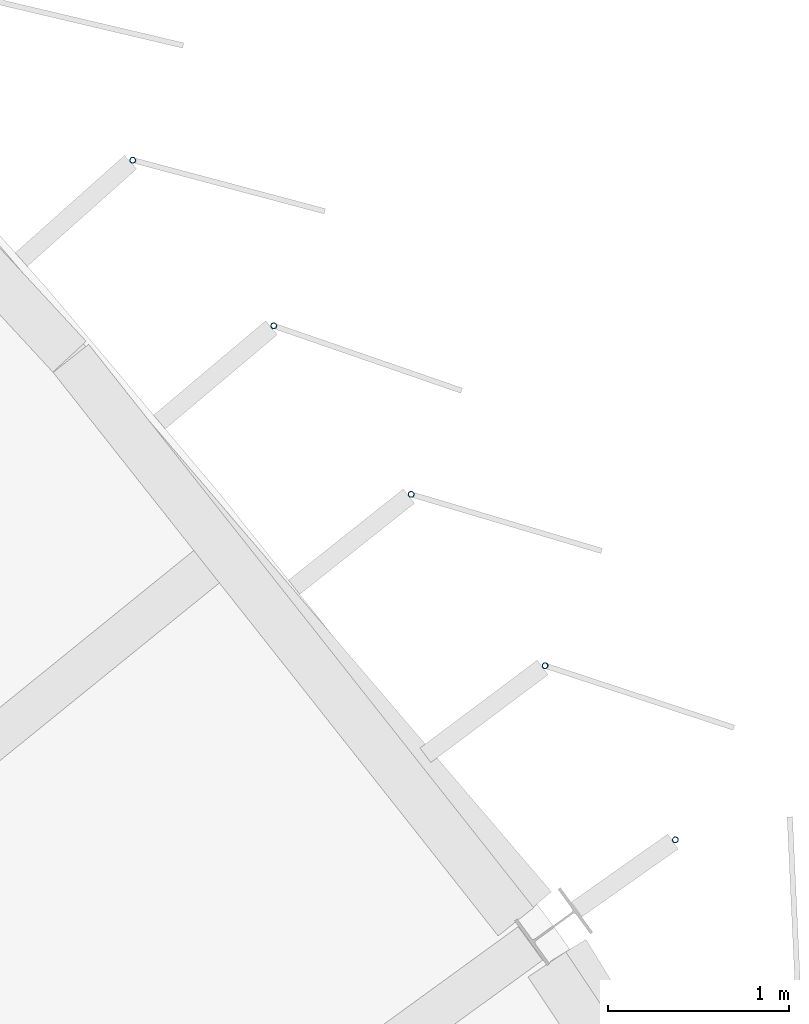
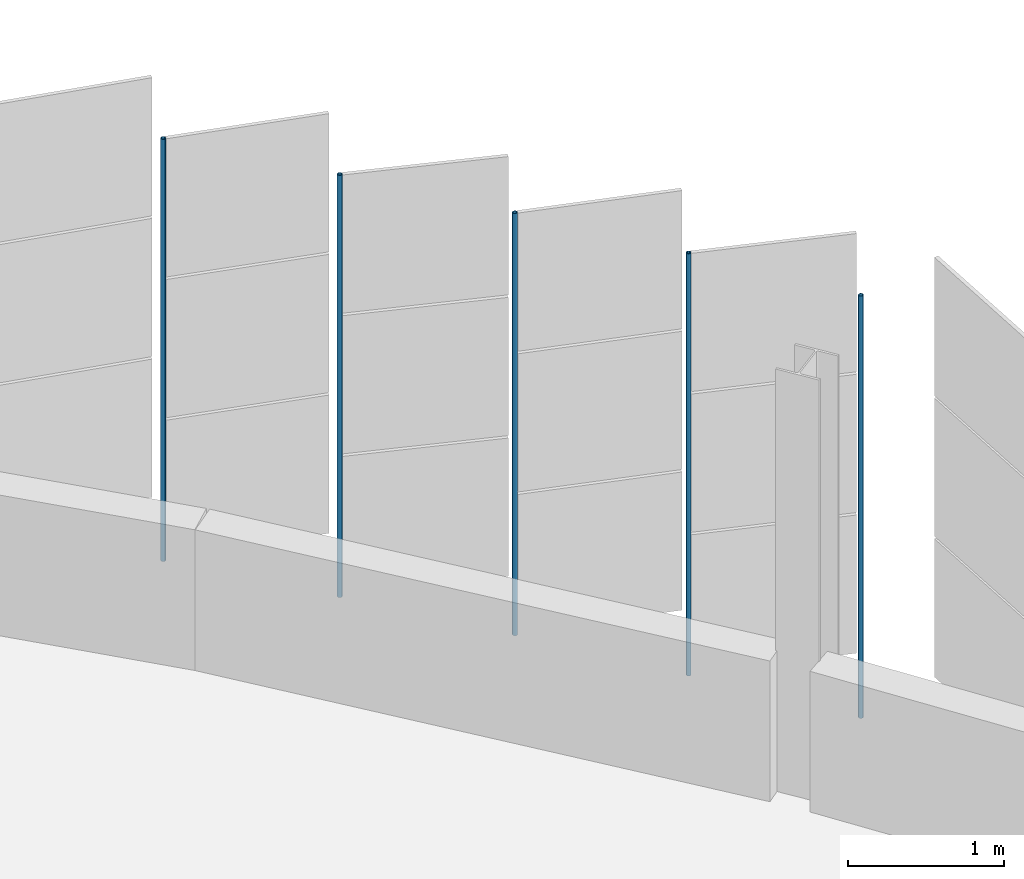
# One storey, part 141 of 214: 5 discrete accessories.
"""IFC4 building model written with IfcOpenShell, lengths in metres."""

from ifc_helpers import new_model, si_unit, direction, frame, origin, origin_2d, place, context, subcontext, project, spatial, hollow_circle, extrude, material, material_profile, profile_set, type_object, element, save


model = new_model("IFC4")

# Units and contexts
model_context = context("Model", 3, precision=1e-05, world=origin(), true_north=direction((0.0, 1.0)))
body_context = subcontext(model_context, "Body", "Model", "MODEL_VIEW")
ifc_project = project(units=[si_unit("LENGTHUNIT", "METRE"), si_unit("AREAUNIT", "SQUARE_METRE"), si_unit("VOLUMEUNIT", "CUBIC_METRE"), si_unit("PLANEANGLEUNIT", "RADIAN"), si_unit("MASSUNIT", "GRAM", prefix="KILO")], contexts=[model_context])

# Site, building, storey
site_placement = place(None, origin())
site = spatial("IfcSite", under=ifc_project, at=site_placement, CompositionType="ELEMENT")
building_placement = place(site_placement, origin())
building = spatial("IfcBuilding", under=site, at=building_placement, Name="Parallax Yard Mobility Hub", CompositionType="ELEMENT")
storey_placement = place(building_placement, frame((0.0, 0.0, 3.300048828125)))
storey = spatial("IfcBuildingStorey", under=building, at=storey_placement, Name="L01", CompositionType="ELEMENT", Elevation=3.300048828125)

# Discrete accessories
ifc_material = material(Name="Steel ASTM A500 Gr C, hot-dip galvanised", Category="steel")
ifc_material_profile = material_profile(ifc_material, hollow_circle(Radius=0.016845703125, WallThickness=0.003173828125, at=origin_2d()), Name="CHS 33.7x3.2")
ifc_profile_set = profile_set([ifc_material_profile], Name="Steel ASTM A500 Gr C, hot-dip galvanised")
discrete_accessory_type = type_object("IfcDiscreteAccessoryType", Name="Hinge post CHS 33.7x3.2", PredefinedType="BRACKET", material=ifc_profile_set)
for number, where, z_axis, x_axis, name in (
    (1, (215.644287109375, 121.336669921875, 0.0), (0.0, 0.0, 1.0), (1.0, 0.0, 0.0), "Hinge post bay 45.1 level L01"),
    (2, (214.925537109375, 122.29736328125, 0.0), (0.0, 0.0, 1.0), (1.0, 0.0, 0.0), "Hinge post bay 45.2 level L01"),
    (3, (214.18701171875, 123.24267578125, 0.0), (0.0, 0.0, 1.0), (1.0, 0.0, 0.0), "Hinge post bay 45.3 level L01"),
    (4, (213.4287109375, 124.17236328125, 0.0), (0.0, 0.0, 1.0), (1.0, 0.0, 0.0), "Hinge post bay 45.4 level L01"),
    (5, (212.651123046875, 125.086181640625, 0.0), (0.0, 0.0, 1.0), (1.0, 0.0, 0.0), "Hinge post bay 45.5 level L01"),
):
    element("IfcDiscreteAccessory", number, at=place(storey_placement, frame(where, z_axis=z_axis, x_axis=x_axis)), inside=storey, type_object=discrete_accessory_type, Name=name, PredefinedType="BRACKET", context=body_context, shape_type="SweptSolid", body=[
        extrude(hollow_circle(Radius=0.016845703125, WallThickness=0.003173828125, at=origin_2d()), origin(), (0.0, 0.0, 1.0), 3.300048828125),
    ])

save(model, "model.ifc")
